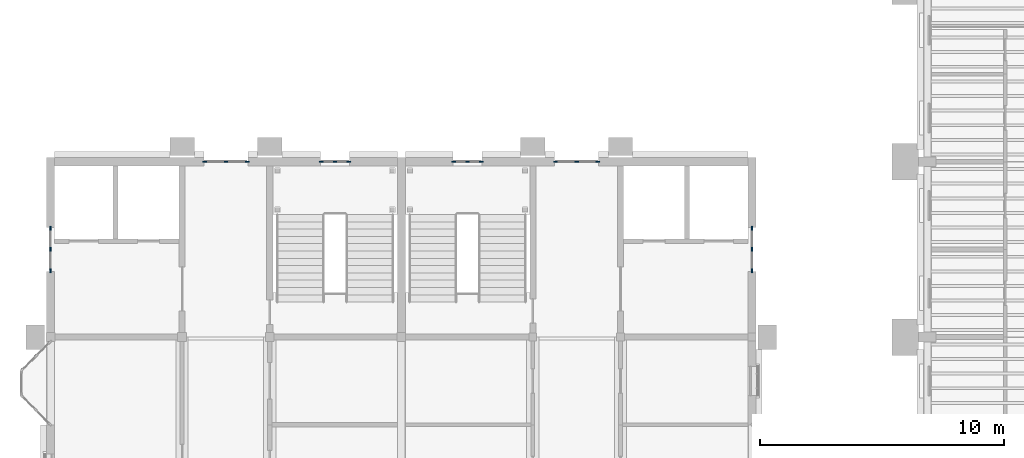
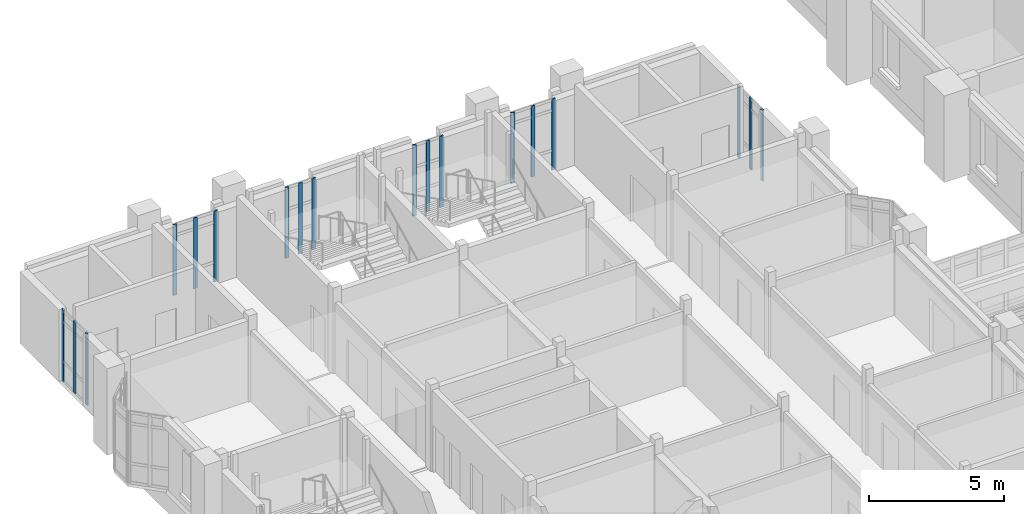
# One storey, part 9 of 69: 18 members, 6 elements without a shape of their own.
"""IFC4 building model written with IfcOpenShell, lengths in metres."""

import ifcopenshell
import ifcopenshell.guid

model = None  # the IFC model being written
_history = None  # IfcOwnerHistory: only IFC2X3 demands one
_inside = {}  # id of a spatial element -> (the spatial element, [elements in it])
_under = {}  # id of a project, library or spatial element -> (it, [spatial elements below it])
_declared = {}  # id of a project -> (the project, [libraries it declares])
_typed = {}  # id of a type object -> (the type object, [elements of that type])
_made_of = {}  # id of a material, layer set ... -> (it, [elements and type objects made of it])


def new_model(schema):
    """Start an empty IFC model of exactly this schema.

    Asked for "IFC4X3", IfcOpenShell would pick the latest addendum, in which some entities
    have other attributes; the version numbers below select the first issue.
    IFC2X3 requires an IfcOwnerHistory on every rooted entity: one is made here for all.
    """
    global model, _history
    if schema == "IFC4X3":
        model = ifcopenshell.file(schema_version=(4, 3, 0, 0))
    else:
        model = ifcopenshell.file(schema=schema)
    _inside.clear()
    _under.clear()
    _declared.clear()
    _typed.clear()
    _made_of.clear()
    _history = None
    if model.schema == "IFC2X3":
        org = make("IfcOrganization", Name="unknown")
        user = make(
            "IfcPersonAndOrganization",
            ThePerson=make("IfcPerson", FamilyName="unknown"),
            TheOrganization=org,
        )
        app = make(
            "IfcApplication",
            ApplicationDeveloper=org,
            Version="unknown",
            ApplicationFullName="unknown",
            ApplicationIdentifier="unknown",
        )
        _history = make(
            "IfcOwnerHistory",
            OwningUser=user,
            OwningApplication=app,
            ChangeAction="ADDED",
            CreationDate=0,
        )
    return model


def make(cls, **values):
    """One entity of the class cls with the attributes given. An attribute that is None is left unset."""
    return model.create_entity(
        cls, **{name: value for name, value in values.items() if value is not None}
    )


def rooted(cls, **values):
    """An entity with a GlobalId (a new one), such as an element, a storey or a relation."""
    return make(cls, GlobalId=ifcopenshell.guid.new(), OwnerHistory=_history, **values)


def si_unit(unit_type, name, prefix=None):
    """IfcSIUnit, for example si_unit("LENGTHUNIT", "METRE", prefix="MILLI")."""
    return make("IfcSIUnit", UnitType=unit_type, Prefix=prefix, Name=name)


def assignment(units):
    """IfcUnitAssignment: the units of a project."""
    return None if units is None else make("IfcUnitAssignment", Units=units)


def point(xyz):
    """IfcCartesianPoint."""
    return None if xyz is None else make("IfcCartesianPoint", Coordinates=xyz)


def direction(xyz):
    """IfcDirection."""
    return None if xyz is None else make("IfcDirection", DirectionRatios=xyz)


def frame(location, z_axis=None, x_axis=None):
    """IfcAxis2Placement3D, a coordinate frame: its origin and axes. An axis left out is left unset."""
    return make(
        "IfcAxis2Placement3D",
        Location=point(location),
        Axis=direction(z_axis),
        RefDirection=direction(x_axis),
    )


def frame_2d(location, x_axis=None):
    """IfcAxis2Placement2D, a coordinate frame in the plane: its origin and x axis."""
    return make(
        "IfcAxis2Placement2D", Location=point(location), RefDirection=direction(x_axis)
    )


def origin():
    """The frame at (0, 0, 0) with its axes left unset."""
    return frame((0.0, 0.0, 0.0))


def origin_2d():
    """The frame at (0, 0) in the plane with its x axis left unset."""
    return frame_2d((0.0, 0.0))


def place(relative_to, where):
    """IfcLocalPlacement: puts the frame where relative to a parent placement (None: the world)."""
    return make(
        "IfcLocalPlacement", PlacementRelTo=relative_to, RelativePlacement=where
    )


def context(
    kind, dimensions, precision=None, world=None, true_north=None, identifier=None
):
    """IfcGeometricRepresentationContext, for example the 3D "Model" context."""
    return make(
        "IfcGeometricRepresentationContext",
        ContextIdentifier=identifier,
        ContextType=kind,
        CoordinateSpaceDimension=dimensions,
        Precision=precision,
        WorldCoordinateSystem=world,
        TrueNorth=true_north,
    )


def subcontext(parent, identifier, kind, view, scale=None):
    """IfcGeometricRepresentationSubContext, for example "Body" below "Model"."""
    return make(
        "IfcGeometricRepresentationSubContext",
        ContextIdentifier=identifier,
        ContextType=kind,
        ParentContext=parent,
        TargetScale=scale,
        TargetView=view,
    )


def project(units=None, contexts=None):
    """IfcProject with its units and contexts."""
    return rooted(
        "IfcProject",
        Name="project",
        RepresentationContexts=contexts,
        UnitsInContext=assignment(units),
    )


def spatial(cls, under=None, at=None, **own):
    """A site, building, storey or space (cls), placed at a placement, below another one or the project."""
    s = rooted(cls, ObjectPlacement=at, **own)
    if under is not None:
        _under.setdefault(under.id(), (under, []))[1].append(s)
    return s


def profile(cls, at=None, kind="AREA", **sizes):
    """A parametric profile (cls). Its sizes go by their IFC names, for example OverallWidth=200.0."""
    return make(cls, ProfileType=kind, Position=at, **sizes)


def rectangle(**sizes):
    """IfcRectangleProfileDef."""
    return profile("IfcRectangleProfileDef", **sizes)


def extrude(swept, where, along, depth):
    """IfcExtrudedAreaSolid: the profile swept, set in the frame where, extruded along a direction by depth."""
    return make(
        "IfcExtrudedAreaSolid",
        SweptArea=swept,
        Position=where,
        ExtrudedDirection=direction(along),
        Depth=depth,
    )


def shape(context_of_items, identifier, shape_type, items):
    """IfcShapeRepresentation: the items that make up one representation, for example the "Body"."""
    return make(
        "IfcShapeRepresentation",
        ContextOfItems=context_of_items,
        RepresentationIdentifier=identifier,
        RepresentationType=shape_type,
        Items=items,
    )


def material(Name=None, Category=None):
    """IfcMaterial."""
    return make("IfcMaterial", Name=Name, Category=Category)


def layer(
    of_material, thickness, ventilated=None, Name=None, Category=None, Priority=None
):
    """IfcMaterialLayer: one layer of a wall or slab, of a material (None: an air gap)."""
    return make(
        "IfcMaterialLayer",
        Material=of_material,
        LayerThickness=thickness,
        IsVentilated=ventilated,
        Name=Name,
        Category=Category,
        Priority=Priority,
    )


def layer_set(layers, Name=None):
    """IfcMaterialLayerSet."""
    return make("IfcMaterialLayerSet", MaterialLayers=layers, LayerSetName=Name)


def material_profile(
    of_material, cross_section, Name=None, Category=None, Priority=None
):
    """IfcMaterialProfile: a cross section and its material."""
    return make(
        "IfcMaterialProfile",
        Name=Name,
        Material=of_material,
        Profile=cross_section,
        Priority=Priority,
        Category=Category,
    )


def profile_set(profiles, Name=None, composite=None):
    """IfcMaterialProfileSet."""
    return make(
        "IfcMaterialProfileSet",
        Name=Name,
        MaterialProfiles=profiles,
        CompositeProfile=composite,
    )


def made_of(thing, what):
    """Note that an element or type object is made of a material, layer set ...; save() writes the relation."""
    if what is not None:
        _made_of.setdefault(what.id(), (what, []))[1].append(thing)
    return thing


def type_object(cls, material=None, **own):
    """A type object (cls), such as IfcWallType, which elements share."""
    return made_of(rooted(cls, **own), material)


def element(
    cls,
    number,
    at=None,
    inside=None,
    cuts=None,
    type_object=None,
    material=None,
    context=None,
    identifier="Body",
    shape_type=None,
    held_by="IfcProductDefinitionShape",
    body=None,
    shapes=None,
    **own,
):
    """One element of the class cls, such as IfcWall. Its Tag is "e" and its number.

    at: its placement. inside: the storey or other place that contains it. cuts: it is an
    opening in that element (IfcRelVoidsElement). A single representation is given by context,
    identifier, shape_type and body (its items); several are given by shapes. held_by: the class
    of the entity that holds the representations. save() writes the other relations.
    """
    e = rooted(cls, Tag="e%d" % number, ObjectPlacement=at, **own)
    if body is not None:
        shapes = [shape(context, identifier, shape_type, body)]
    if shapes is not None:
        e.Representation = make(held_by, Representations=shapes)
    if inside is not None:
        _inside.setdefault(inside.id(), (inside, []))[1].append(e)
    if cuts is not None:
        rooted(
            "IfcRelVoidsElement", RelatingBuildingElement=cuts, RelatedOpeningElement=e
        )
    if type_object is not None:
        _typed.setdefault(type_object.id(), (type_object, []))[1].append(e)
    return made_of(e, material)


def aggregate(whole, parts):
    """IfcRelAggregates: a whole, such as a stair, and the parts it consists of."""
    return rooted("IfcRelAggregates", RelatingObject=whole, RelatedObjects=parts)


def save(model, path):
    """Write the relations noted so far, then the file.

    IfcRelAggregates (storeys below a building ...), IfcRelContainedInSpatialStructure (elements
    in a storey), IfcRelDefinesByType, IfcRelAssociatesMaterial and IfcRelDeclares: one each for
    every whole, place, type object, material and project.
    """
    for whole, parts in _under.values():
        aggregate(whole, parts)
    for where, things in _inside.values():
        rooted(
            "IfcRelContainedInSpatialStructure",
            RelatedElements=things,
            RelatingStructure=where,
        )
    for kind, things in _typed.values():
        rooted("IfcRelDefinesByType", RelatedObjects=things, RelatingType=kind)
    for what, things in _made_of.values():
        rooted("IfcRelAssociatesMaterial", RelatedObjects=things, RelatingMaterial=what)
    for by, libraries in _declared.values():
        rooted("IfcRelDeclares", RelatingContext=by, RelatedDefinitions=libraries)
    model.write(path)


model = new_model("IFC4")

# Units and contexts
model_context = context("Model", 3, precision=1e-05, world=origin(), true_north=direction((0.0, 1.0)))
body_context = subcontext(model_context, "Body", "Model", "MODEL_VIEW")
ifc_project = project(units=[si_unit("LENGTHUNIT", "METRE"), si_unit("AREAUNIT", "SQUARE_METRE"), si_unit("VOLUMEUNIT", "CUBIC_METRE"), si_unit("PLANEANGLEUNIT", "RADIAN"), si_unit("MASSUNIT", "GRAM", prefix="KILO")], contexts=[model_context])

# Site, building, storey
site_placement = place(None, origin())
site = spatial("IfcSite", under=ifc_project, at=site_placement, CompositionType="ELEMENT")
building_placement = place(site_placement, origin())
building = spatial("IfcBuilding", under=site, at=building_placement, Name="Mazhai Court Health Centre", CompositionType="ELEMENT")
storey_placement = place(building_placement, frame((0.0, 0.0, 6.300048828125)))
storey = spatial("IfcBuildingStorey", under=building, at=storey_placement, Name="L01", CompositionType="ELEMENT", Elevation=6.300048828125)

# Curtain wall, members
ifc_material_1 = material(Name="Teak timber frame, glazed", Category="wood")
ifc_layer_1 = layer(ifc_material_1, 0.10009765625)
ifc_layer_set_1 = layer_set([ifc_layer_1], Name="CURTAIN WALL TIMBER 900")
curtain_wall_type_1 = type_object("IfcCurtainWallType", Name="CURTAIN WALL TIMBER 900", PredefinedType="NOTDEFINED", material=ifc_layer_set_1)
curtain_wall_1_placement = place(storey_placement, origin())
curtain_wall_1 = element("IfcCurtainWall", 1, at=curtain_wall_1_placement, inside=storey, type_object=curtain_wall_type_1, Name="CW-V2-L01-A4", PredefinedType="NOTDEFINED")
ifc_material_2 = material(Name="Teak timber", Category="wood")
ifc_material_profile = material_profile(ifc_material_2, rectangle(XDim=0.06005859375, YDim=0.159912109375, at=origin_2d()), Name="CW MULLION 60x160")
ifc_profile_set = profile_set([ifc_material_profile], Name="Teak timber")
member_type = type_object("IfcMemberType", Name="CW MULLION 60x160", PredefinedType="MULLION", material=ifc_profile_set)
member_1_placement = place(storey_placement, frame((6.199951171875, 37.72998046875, 0.0), z_axis=(0.0, 0.0, 1.0), x_axis=(-1.0, 0.0, 0.0)))
member_1 = element("IfcMember", 2, at=member_1_placement, type_object=member_type, Name="CW mullion 1", PredefinedType="MULLION", context=body_context, shape_type="SweptSolid", body=[
    extrude(rectangle(XDim=0.06005859375, YDim=0.159912109375, at=origin_2d()), origin(), (0.0, 0.0, 1.0), 3.219970703125),
])
member_2_placement = place(storey_placement, frame((6.199951171875, 38.60009765625, 0.0), z_axis=(0.0, 0.0, 1.0), x_axis=(-1.0, 0.0, 0.0)))
member_2 = element("IfcMember", 3, at=member_2_placement, type_object=member_type, Name="CW mullion 2", PredefinedType="MULLION", context=body_context, shape_type="SweptSolid", body=[
    extrude(rectangle(XDim=0.06005859375, YDim=0.159912109375, at=origin_2d()), origin(), (0.0, 0.0, 1.0), 3.219970703125),
])
member_3_placement = place(storey_placement, frame((6.199951171875, 39.469970703125, 0.0), z_axis=(0.0, 0.0, 1.0), x_axis=(-1.0, 0.0, 0.0)))
member_3 = element("IfcMember", 4, at=member_3_placement, type_object=member_type, Name="CW mullion 3", PredefinedType="MULLION", context=body_context, shape_type="SweptSolid", body=[
    extrude(rectangle(XDim=0.06005859375, YDim=0.159912109375, at=origin_2d()), origin(), (0.0, 0.0, 1.0), 3.219970703125),
])
aggregate(curtain_wall_1, [member_1, member_2, member_3])

curtain_wall_2_placement = place(storey_placement, origin())
curtain_wall_2 = element("IfcCurtainWall", 5, at=curtain_wall_2_placement, inside=storey, type_object=curtain_wall_type_1, Name="CW-V2-L01-ELIFT0", PredefinedType="NOTDEFINED")
member_4_placement = place(storey_placement, frame((12.530029296875, 42.199951171875, 0.0), z_axis=(0.0, 0.0, 1.0), x_axis=(0.0, 1.0, 0.0)))
member_4 = element("IfcMember", 6, at=member_4_placement, type_object=member_type, Name="CW mullion 1", PredefinedType="MULLION", context=body_context, shape_type="SweptSolid", body=[
    extrude(rectangle(XDim=0.06005859375, YDim=0.159912109375, at=origin_2d()), origin(), (0.0, 0.0, 1.0), 3.199951171875),
])
member_5_placement = place(storey_placement, frame((13.39990234375, 42.199951171875, 0.0), z_axis=(0.0, 0.0, 1.0), x_axis=(0.0, 1.0, 0.0)))
member_5 = element("IfcMember", 7, at=member_5_placement, type_object=member_type, Name="CW mullion 2", PredefinedType="MULLION", context=body_context, shape_type="SweptSolid", body=[
    extrude(rectangle(XDim=0.06005859375, YDim=0.159912109375, at=origin_2d()), origin(), (0.0, 0.0, 1.0), 3.199951171875),
])
member_6_placement = place(storey_placement, frame((14.27001953125, 42.199951171875, 0.0), z_axis=(0.0, 0.0, 1.0), x_axis=(0.0, 1.0, 0.0)))
member_6 = element("IfcMember", 8, at=member_6_placement, type_object=member_type, Name="CW mullion 3", PredefinedType="MULLION", context=body_context, shape_type="SweptSolid", body=[
    extrude(rectangle(XDim=0.06005859375, YDim=0.159912109375, at=origin_2d()), origin(), (0.0, 0.0, 1.0), 3.199951171875),
])
aggregate(curtain_wall_2, [member_4, member_5, member_6])

ifc_material_3 = material(Name="Teak timber frame, glazed", Category="wood")
ifc_layer_2 = layer(ifc_material_3, 0.10009765625)
ifc_layer_set_2 = layer_set([ifc_layer_2], Name="CURTAIN WALL TIMBER 600")
curtain_wall_type_2 = type_object("IfcCurtainWallType", Name="CURTAIN WALL TIMBER 600", PredefinedType="NOTDEFINED", material=ifc_layer_set_2)
curtain_wall_3_placement = place(storey_placement, origin())
curtain_wall_3 = element("IfcCurtainWall", 9, at=curtain_wall_3_placement, inside=storey, type_object=curtain_wall_type_2, Name="CW-V2-L01-ESTAIR1", PredefinedType="NOTDEFINED")
member_7_placement = place(storey_placement, frame((17.31005859375, 42.199951171875, 0.0), z_axis=(0.0, 0.0, 1.0), x_axis=(0.0, 1.0, 0.0)))
member_7 = element("IfcMember", 10, at=member_7_placement, type_object=member_type, Name="CW mullion 1", PredefinedType="MULLION", context=body_context, shape_type="SweptSolid", body=[
    extrude(rectangle(XDim=0.06005859375, YDim=0.159912109375, at=origin_2d()), origin(), (0.0, 0.0, 1.0), 3.199951171875),
])
member_8_placement = place(storey_placement, frame((17.8798828125, 42.199951171875, 0.0), z_axis=(0.0, 0.0, 1.0), x_axis=(0.0, 1.0, 0.0)))
member_8 = element("IfcMember", 11, at=member_8_placement, type_object=member_type, Name="CW mullion 2", PredefinedType="MULLION", context=body_context, shape_type="SweptSolid", body=[
    extrude(rectangle(XDim=0.06005859375, YDim=0.159912109375, at=origin_2d()), origin(), (0.0, 0.0, 1.0), 3.199951171875),
])
member_9_placement = place(storey_placement, frame((18.449951171875, 42.199951171875, 0.0), z_axis=(0.0, 0.0, 1.0), x_axis=(0.0, 1.0, 0.0)))
member_9 = element("IfcMember", 12, at=member_9_placement, type_object=member_type, Name="CW mullion 3", PredefinedType="MULLION", context=body_context, shape_type="SweptSolid", body=[
    extrude(rectangle(XDim=0.06005859375, YDim=0.159912109375, at=origin_2d()), origin(), (0.0, 0.0, 1.0), 3.199951171875),
])
aggregate(curtain_wall_3, [member_7, member_8, member_9])

curtain_wall_4_placement = place(storey_placement, origin())
curtain_wall_4 = element("IfcCurtainWall", 13, at=curtain_wall_4_placement, inside=storey, type_object=curtain_wall_type_1, Name="CW-V5-L01-B4", PredefinedType="NOTDEFINED")
member_10_placement = place(storey_placement, frame((35.0, 39.469970703125, 0.0), z_axis=(0.0, 0.0, 1.0), x_axis=(1.0, 0.0, 0.0)))
member_10 = element("IfcMember", 14, at=member_10_placement, type_object=member_type, Name="CW mullion 1", PredefinedType="MULLION", context=body_context, shape_type="SweptSolid", body=[
    extrude(rectangle(XDim=0.06005859375, YDim=0.159912109375, at=origin_2d()), origin(), (0.0, 0.0, 1.0), 3.219970703125),
])
member_11_placement = place(storey_placement, frame((35.0, 38.60009765625, 0.0), z_axis=(0.0, 0.0, 1.0), x_axis=(1.0, 0.0, 0.0)))
member_11 = element("IfcMember", 15, at=member_11_placement, type_object=member_type, Name="CW mullion 2", PredefinedType="MULLION", context=body_context, shape_type="SweptSolid", body=[
    extrude(rectangle(XDim=0.06005859375, YDim=0.159912109375, at=origin_2d()), origin(), (0.0, 0.0, 1.0), 3.219970703125),
])
member_12_placement = place(storey_placement, frame((35.0, 37.72998046875, 0.0), z_axis=(0.0, 0.0, 1.0), x_axis=(1.0, 0.0, 0.0)))
member_12 = element("IfcMember", 16, at=member_12_placement, type_object=member_type, Name="CW mullion 3", PredefinedType="MULLION", context=body_context, shape_type="SweptSolid", body=[
    extrude(rectangle(XDim=0.06005859375, YDim=0.159912109375, at=origin_2d()), origin(), (0.0, 0.0, 1.0), 3.219970703125),
])
aggregate(curtain_wall_4, [member_10, member_11, member_12])

curtain_wall_5_placement = place(storey_placement, origin())
curtain_wall_5 = element("IfcCurtainWall", 17, at=curtain_wall_5_placement, inside=storey, type_object=curtain_wall_type_2, Name="CW-V5-L01-ESTAIR0", PredefinedType="NOTDEFINED")
member_13_placement = place(storey_placement, frame((22.75, 42.199951171875, 0.0), z_axis=(0.0, 0.0, 1.0), x_axis=(0.0, 1.0, 0.0)))
member_13 = element("IfcMember", 18, at=member_13_placement, type_object=member_type, Name="CW mullion 1", PredefinedType="MULLION", context=body_context, shape_type="SweptSolid", body=[
    extrude(rectangle(XDim=0.06005859375, YDim=0.159912109375, at=origin_2d()), origin(), (0.0, 0.0, 1.0), 3.199951171875),
])
member_14_placement = place(storey_placement, frame((23.320068359375, 42.199951171875, 0.0), z_axis=(0.0, 0.0, 1.0), x_axis=(0.0, 1.0, 0.0)))
member_14 = element("IfcMember", 19, at=member_14_placement, type_object=member_type, Name="CW mullion 2", PredefinedType="MULLION", context=body_context, shape_type="SweptSolid", body=[
    extrude(rectangle(XDim=0.06005859375, YDim=0.159912109375, at=origin_2d()), origin(), (0.0, 0.0, 1.0), 3.199951171875),
])
member_15_placement = place(storey_placement, frame((23.889892578125, 42.199951171875, 0.0), z_axis=(0.0, 0.0, 1.0), x_axis=(0.0, 1.0, 0.0)))
member_15 = element("IfcMember", 20, at=member_15_placement, type_object=member_type, Name="CW mullion 3", PredefinedType="MULLION", context=body_context, shape_type="SweptSolid", body=[
    extrude(rectangle(XDim=0.06005859375, YDim=0.159912109375, at=origin_2d()), origin(), (0.0, 0.0, 1.0), 3.199951171875),
])
aggregate(curtain_wall_5, [member_13, member_14, member_15])

curtain_wall_6_placement = place(storey_placement, origin())
curtain_wall_6 = element("IfcCurtainWall", 21, at=curtain_wall_6_placement, inside=storey, type_object=curtain_wall_type_1, Name="CW-V5-L01-ELIFT1", PredefinedType="NOTDEFINED")
member_16_placement = place(storey_placement, frame((26.929931640625, 42.199951171875, 0.0), z_axis=(0.0, 0.0, 1.0), x_axis=(0.0, 1.0, 0.0)))
member_16 = element("IfcMember", 22, at=member_16_placement, type_object=member_type, Name="CW mullion 1", PredefinedType="MULLION", context=body_context, shape_type="SweptSolid", body=[
    extrude(rectangle(XDim=0.06005859375, YDim=0.159912109375, at=origin_2d()), origin(), (0.0, 0.0, 1.0), 3.199951171875),
])
member_17_placement = place(storey_placement, frame((27.800048828125, 42.199951171875, 0.0), z_axis=(0.0, 0.0, 1.0), x_axis=(0.0, 1.0, 0.0)))
member_17 = element("IfcMember", 23, at=member_17_placement, type_object=member_type, Name="CW mullion 2", PredefinedType="MULLION", context=body_context, shape_type="SweptSolid", body=[
    extrude(rectangle(XDim=0.06005859375, YDim=0.159912109375, at=origin_2d()), origin(), (0.0, 0.0, 1.0), 3.199951171875),
])
member_18_placement = place(storey_placement, frame((28.669921875, 42.199951171875, 0.0), z_axis=(0.0, 0.0, 1.0), x_axis=(0.0, 1.0, 0.0)))
member_18 = element("IfcMember", 24, at=member_18_placement, type_object=member_type, Name="CW mullion 3", PredefinedType="MULLION", context=body_context, shape_type="SweptSolid", body=[
    extrude(rectangle(XDim=0.06005859375, YDim=0.159912109375, at=origin_2d()), origin(), (0.0, 0.0, 1.0), 3.199951171875),
])
aggregate(curtain_wall_6, [member_16, member_17, member_18])

save(model, "model.ifc")
